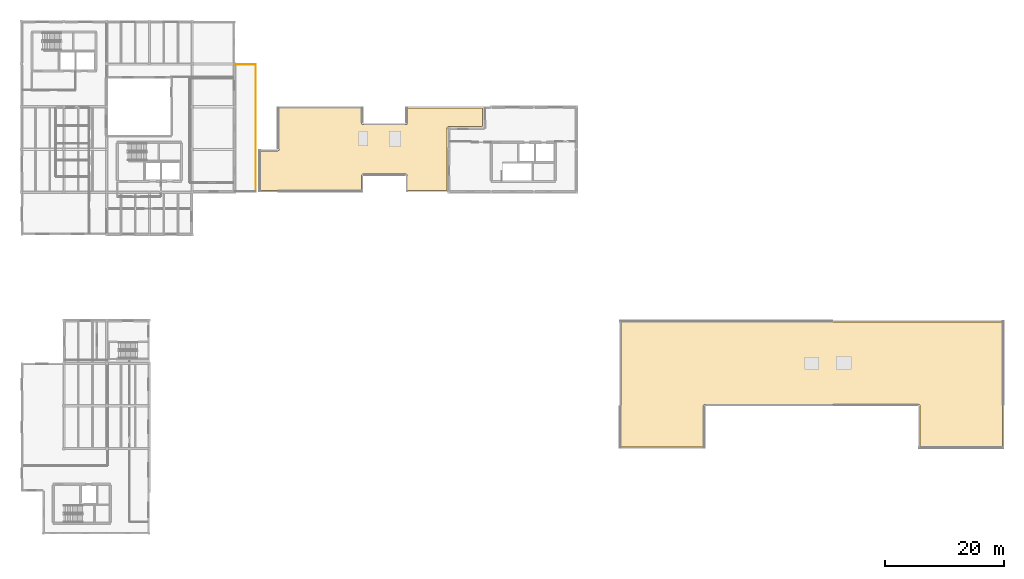
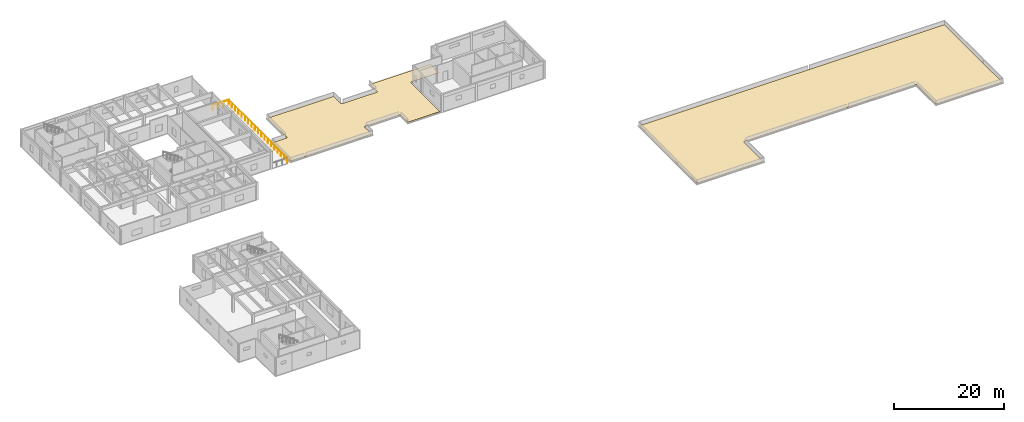
# One storey, part 15 of 15: 2 coverings, 2 railings.
"""IFC4 building model written with IfcOpenShell, lengths in metres."""

import ifcopenshell
import ifcopenshell.guid

model = None  # the IFC model being written
_history = None  # IfcOwnerHistory: only IFC2X3 demands one
_inside = {}  # id of a spatial element -> (the spatial element, [elements in it])
_under = {}  # id of a project, library or spatial element -> (it, [spatial elements below it])
_declared = {}  # id of a project -> (the project, [libraries it declares])
_typed = {}  # id of a type object -> (the type object, [elements of that type])
_made_of = {}  # id of a material, layer set ... -> (it, [elements and type objects made of it])


def new_model(schema):
    """Start an empty IFC model of exactly this schema.

    Asked for "IFC4X3", IfcOpenShell would pick the latest addendum, in which some entities
    have other attributes; the version numbers below select the first issue.
    IFC2X3 requires an IfcOwnerHistory on every rooted entity: one is made here for all.
    """
    global model, _history
    if schema == "IFC4X3":
        model = ifcopenshell.file(schema_version=(4, 3, 0, 0))
    else:
        model = ifcopenshell.file(schema=schema)
    _inside.clear()
    _under.clear()
    _declared.clear()
    _typed.clear()
    _made_of.clear()
    _history = None
    if model.schema == "IFC2X3":
        org = make("IfcOrganization", Name="unknown")
        user = make(
            "IfcPersonAndOrganization",
            ThePerson=make("IfcPerson", FamilyName="unknown"),
            TheOrganization=org,
        )
        app = make(
            "IfcApplication",
            ApplicationDeveloper=org,
            Version="unknown",
            ApplicationFullName="unknown",
            ApplicationIdentifier="unknown",
        )
        _history = make(
            "IfcOwnerHistory",
            OwningUser=user,
            OwningApplication=app,
            ChangeAction="ADDED",
            CreationDate=0,
        )
    return model


def make(cls, **values):
    """One entity of the class cls with the attributes given. An attribute that is None is left unset."""
    return model.create_entity(
        cls, **{name: value for name, value in values.items() if value is not None}
    )


def rooted(cls, **values):
    """An entity with a GlobalId (a new one), such as an element, a storey or a relation."""
    return make(cls, GlobalId=ifcopenshell.guid.new(), OwnerHistory=_history, **values)


def si_unit(unit_type, name, prefix=None):
    """IfcSIUnit, for example si_unit("LENGTHUNIT", "METRE", prefix="MILLI")."""
    return make("IfcSIUnit", UnitType=unit_type, Prefix=prefix, Name=name)


def assignment(units):
    """IfcUnitAssignment: the units of a project."""
    return None if units is None else make("IfcUnitAssignment", Units=units)


def point(xyz):
    """IfcCartesianPoint."""
    return None if xyz is None else make("IfcCartesianPoint", Coordinates=xyz)


def direction(xyz):
    """IfcDirection."""
    return None if xyz is None else make("IfcDirection", DirectionRatios=xyz)


def frame(location, z_axis=None, x_axis=None):
    """IfcAxis2Placement3D, a coordinate frame: its origin and axes. An axis left out is left unset."""
    return make(
        "IfcAxis2Placement3D",
        Location=point(location),
        Axis=direction(z_axis),
        RefDirection=direction(x_axis),
    )


def frame_2d(location, x_axis=None):
    """IfcAxis2Placement2D, a coordinate frame in the plane: its origin and x axis."""
    return make(
        "IfcAxis2Placement2D", Location=point(location), RefDirection=direction(x_axis)
    )


def origin():
    """The frame at (0, 0, 0) with its axes left unset."""
    return frame((0.0, 0.0, 0.0))


def origin_2d():
    """The frame at (0, 0) in the plane with its x axis left unset."""
    return frame_2d((0.0, 0.0))


def place(relative_to, where):
    """IfcLocalPlacement: puts the frame where relative to a parent placement (None: the world)."""
    return make(
        "IfcLocalPlacement", PlacementRelTo=relative_to, RelativePlacement=where
    )


def context(
    kind, dimensions, precision=None, world=None, true_north=None, identifier=None
):
    """IfcGeometricRepresentationContext, for example the 3D "Model" context."""
    return make(
        "IfcGeometricRepresentationContext",
        ContextIdentifier=identifier,
        ContextType=kind,
        CoordinateSpaceDimension=dimensions,
        Precision=precision,
        WorldCoordinateSystem=world,
        TrueNorth=true_north,
    )


def subcontext(parent, identifier, kind, view, scale=None):
    """IfcGeometricRepresentationSubContext, for example "Body" below "Model"."""
    return make(
        "IfcGeometricRepresentationSubContext",
        ContextIdentifier=identifier,
        ContextType=kind,
        ParentContext=parent,
        TargetScale=scale,
        TargetView=view,
    )


def project(units=None, contexts=None):
    """IfcProject with its units and contexts."""
    return rooted(
        "IfcProject",
        Name="project",
        RepresentationContexts=contexts,
        UnitsInContext=assignment(units),
    )


def spatial(cls, under=None, at=None, **own):
    """A site, building, storey or space (cls), placed at a placement, below another one or the project."""
    s = rooted(cls, ObjectPlacement=at, **own)
    if under is not None:
        _under.setdefault(under.id(), (under, []))[1].append(s)
    return s


def polyline(points):
    """IfcPolyline through the points."""
    return make("IfcPolyline", Points=[point(p) for p in points])


def profile(cls, at=None, kind="AREA", **sizes):
    """A parametric profile (cls). Its sizes go by their IFC names, for example OverallWidth=200.0."""
    return make(cls, ProfileType=kind, Position=at, **sizes)


def circle(**sizes):
    """IfcCircleProfileDef."""
    return profile("IfcCircleProfileDef", **sizes)


def outline(outer, holes=None, kind="AREA"):
    """IfcArbitraryClosedProfileDef: a profile drawn as a closed curve; with holes, ...WithVoids."""
    if holes is None:
        return make("IfcArbitraryClosedProfileDef", ProfileType=kind, OuterCurve=outer)
    return make(
        "IfcArbitraryProfileDefWithVoids",
        ProfileType=kind,
        OuterCurve=outer,
        InnerCurves=holes,
    )


def extrude(swept, where, along, depth):
    """IfcExtrudedAreaSolid: the profile swept, set in the frame where, extruded along a direction by depth."""
    return make(
        "IfcExtrudedAreaSolid",
        SweptArea=swept,
        Position=where,
        ExtrudedDirection=direction(along),
        Depth=depth,
    )


def shape(context_of_items, identifier, shape_type, items):
    """IfcShapeRepresentation: the items that make up one representation, for example the "Body"."""
    return make(
        "IfcShapeRepresentation",
        ContextOfItems=context_of_items,
        RepresentationIdentifier=identifier,
        RepresentationType=shape_type,
        Items=items,
    )


def material(Name=None, Category=None):
    """IfcMaterial."""
    return make("IfcMaterial", Name=Name, Category=Category)


def layer(
    of_material, thickness, ventilated=None, Name=None, Category=None, Priority=None
):
    """IfcMaterialLayer: one layer of a wall or slab, of a material (None: an air gap)."""
    return make(
        "IfcMaterialLayer",
        Material=of_material,
        LayerThickness=thickness,
        IsVentilated=ventilated,
        Name=Name,
        Category=Category,
        Priority=Priority,
    )


def layer_set(layers, Name=None):
    """IfcMaterialLayerSet."""
    return make("IfcMaterialLayerSet", MaterialLayers=layers, LayerSetName=Name)


def made_of(thing, what):
    """Note that an element or type object is made of a material, layer set ...; save() writes the relation."""
    if what is not None:
        _made_of.setdefault(what.id(), (what, []))[1].append(thing)
    return thing


def type_object(cls, material=None, **own):
    """A type object (cls), such as IfcWallType, which elements share."""
    return made_of(rooted(cls, **own), material)


def element(
    cls,
    number,
    at=None,
    inside=None,
    cuts=None,
    type_object=None,
    material=None,
    context=None,
    identifier="Body",
    shape_type=None,
    held_by="IfcProductDefinitionShape",
    body=None,
    shapes=None,
    **own,
):
    """One element of the class cls, such as IfcWall. Its Tag is "e" and its number.

    at: its placement. inside: the storey or other place that contains it. cuts: it is an
    opening in that element (IfcRelVoidsElement). A single representation is given by context,
    identifier, shape_type and body (its items); several are given by shapes. held_by: the class
    of the entity that holds the representations. save() writes the other relations.
    """
    e = rooted(cls, Tag="e%d" % number, ObjectPlacement=at, **own)
    if body is not None:
        shapes = [shape(context, identifier, shape_type, body)]
    if shapes is not None:
        e.Representation = make(held_by, Representations=shapes)
    if inside is not None:
        _inside.setdefault(inside.id(), (inside, []))[1].append(e)
    if cuts is not None:
        rooted(
            "IfcRelVoidsElement", RelatingBuildingElement=cuts, RelatedOpeningElement=e
        )
    if type_object is not None:
        _typed.setdefault(type_object.id(), (type_object, []))[1].append(e)
    return made_of(e, material)


def aggregate(whole, parts):
    """IfcRelAggregates: a whole, such as a stair, and the parts it consists of."""
    return rooted("IfcRelAggregates", RelatingObject=whole, RelatedObjects=parts)


def save(model, path):
    """Write the relations noted so far, then the file.

    IfcRelAggregates (storeys below a building ...), IfcRelContainedInSpatialStructure (elements
    in a storey), IfcRelDefinesByType, IfcRelAssociatesMaterial and IfcRelDeclares: one each for
    every whole, place, type object, material and project.
    """
    for whole, parts in _under.values():
        aggregate(whole, parts)
    for where, things in _inside.values():
        rooted(
            "IfcRelContainedInSpatialStructure",
            RelatedElements=things,
            RelatingStructure=where,
        )
    for kind, things in _typed.values():
        rooted("IfcRelDefinesByType", RelatedObjects=things, RelatingType=kind)
    for what, things in _made_of.values():
        rooted("IfcRelAssociatesMaterial", RelatedObjects=things, RelatingMaterial=what)
    for by, libraries in _declared.values():
        rooted("IfcRelDeclares", RelatingContext=by, RelatedDefinitions=libraries)
    model.write(path)


model = new_model("IFC4")

# Units and contexts
model_context = context("Model", 3, precision=1e-05, world=origin(), true_north=direction((0.0, 1.0)))
body_context = subcontext(model_context, "Body", "Model", "MODEL_VIEW")
ifc_project = project(units=[si_unit("LENGTHUNIT", "METRE"), si_unit("AREAUNIT", "SQUARE_METRE"), si_unit("VOLUMEUNIT", "CUBIC_METRE"), si_unit("PLANEANGLEUNIT", "RADIAN"), si_unit("MASSUNIT", "GRAM", prefix="KILO")], contexts=[model_context])

# Site, building, storey
site_placement = place(None, origin())
site = spatial("IfcSite", under=ifc_project, at=site_placement, CompositionType="ELEMENT")
building_placement = place(site_placement, origin())
building = spatial("IfcBuilding", under=site, at=building_placement, Name="Bramvelor Terrace Health Centre", CompositionType="ELEMENT")
storey_placement = place(building_placement, frame((0.0, 0.0, 13.5)))
storey = spatial("IfcBuildingStorey", under=building, at=storey_placement, Name="L04", CompositionType="ELEMENT", Elevation=13.5)

# Coverings
ifc_material_1 = material(Name="TPO standing-seam insulated roofing", Category="membrane")
ifc_layer = layer(ifc_material_1, 0.044921875)
ifc_layer_set = layer_set([ifc_layer], Name="TPO standing-seam insulated roofing")
covering_type = type_object("IfcCoveringType", Name="COV-ROOF-MEM", PredefinedType="ROOFING", material=ifc_layer_set)
covering_1_placement = place(storey_placement, origin())
element("IfcCovering", 1, at=covering_1_placement, inside=storey, type_object=covering_type, Name="L04 Insulated Roof Membrane 7", PredefinedType="ROOFING", context=body_context, shape_type="SweptSolid", body=[
    extrude(outline(polyline([(151.43994140625, 50.39990234375), (151.438720703125, 50.423583984375), (151.435302734375, 50.44677734375), (151.4296875, 50.4697265625), (151.421630859375, 50.49169921875), (151.41162109375, 50.51318359375), (151.399658203125, 50.533203125), (151.385498046875, 50.55224609375), (151.36962890625, 50.569580078125), (151.352294921875, 50.58544921875), (151.333251953125, 50.599609375), (151.31298828125, 50.61181640625), (151.291748046875, 50.62158203125), (151.269775390625, 50.629638671875), (151.246826171875, 50.635498046875), (151.223388671875, 50.638916015625), (151.199951171875, 50.639892578125), (115.199951171875, 50.639892578125), (115.176513671875, 50.638916015625), (115.1533203125, 50.635498046875), (115.13037109375, 50.629638671875), (115.108154296875, 50.62158203125), (115.0869140625, 50.61181640625), (115.066650390625, 50.599609375), (115.047607421875, 50.58544921875), (115.0302734375, 50.569580078125), (115.014404296875, 50.55224609375), (115.00048828125, 50.533203125), (114.98828125, 50.51318359375), (114.978271484375, 50.49169921875), (114.97021484375, 50.4697265625), (114.964599609375, 50.44677734375), (114.961181640625, 50.423583984375), (114.9599609375, 50.39990234375), (114.9599609375, 43.43994140625), (101.0400390625, 43.43994140625), (101.0400390625, 64.56005859375), (165.360107421875, 64.56005859375), (165.360107421875, 43.43994140625), (151.43994140625, 43.43994140625), (151.43994140625, 50.39990234375)])), origin(), (0.0, 0.0, 1.0), 0.044921875),
])
covering_2_placement = place(storey_placement, origin())
element("IfcCovering", 2, at=covering_2_placement, inside=storey, type_object=covering_type, Name="L04 Insulated Roof Membrane 8", PredefinedType="ROOFING", context=body_context, shape_type="SweptSolid", body=[
    extrude(outline(polyline([(64.800048828125, 97.760009765625), (64.823486328125, 97.76123046875), (64.8466796875, 97.7646484375), (64.86962890625, 97.770263671875), (64.891845703125, 97.7783203125), (64.9130859375, 97.788330078125), (64.933349609375, 97.80029296875), (64.952392578125, 97.814453125), (64.9697265625, 97.830322265625), (64.985595703125, 97.84765625), (64.99951171875, 97.86669921875), (65.01171875, 97.886962890625), (65.021728515625, 97.908203125), (65.02978515625, 97.930419921875), (65.035400390625, 97.953125), (65.038818359375, 97.9765625), (65.0400390625, 98.0), (65.0400390625, 100.56005859375), (77.75, 100.56005859375), (77.75, 97.449951171875), (72.0, 97.449951171875), (71.98828125, 97.44970703125), (71.9873046875, 97.44970703125), (71.9638671875, 97.447509765625), (71.962890625, 97.447265625), (71.939697265625, 97.442626953125), (71.938720703125, 97.4423828125), (71.916259765625, 97.435546875), (71.915283203125, 97.435302734375), (71.8935546875, 97.42626953125), (71.892578125, 97.42578125), (71.871826171875, 97.414794921875), (71.87109375, 97.414306640625), (71.8515625, 97.401123046875), (71.8505859375, 97.400390625), (71.83251953125, 97.385498046875), (71.831787109375, 97.385009765625), (71.815185546875, 97.3681640625), (71.814453125, 97.367431640625), (71.799560546875, 97.349365234375), (71.798828125, 97.348388671875), (71.785888671875, 97.328857421875), (71.785400390625, 97.328125), (71.774169921875, 97.307373046875), (71.773681640625, 97.306396484375), (71.764892578125, 97.28466796875), (71.764404296875, 97.28369140625), (71.757568359375, 97.26123046875), (71.75732421875, 97.26025390625), (71.752685546875, 97.2373046875), (71.752685546875, 97.236083984375), (71.750244140625, 97.212890625), (71.750244140625, 97.2119140625), (71.75, 97.199951171875), (71.75, 86.639892578125), (65.0400390625, 86.639892578125), (65.0400390625, 89.199951171875), (65.038818359375, 89.223388671875), (65.035400390625, 89.246826171875), (65.02978515625, 89.269775390625), (65.021728515625, 89.291748046875), (65.01171875, 89.31298828125), (64.99951171875, 89.333251953125), (64.985595703125, 89.352294921875), (64.9697265625, 89.36962890625), (64.952392578125, 89.385498046875), (64.933349609375, 89.399658203125), (64.9130859375, 89.41162109375), (64.891845703125, 89.421630859375), (64.86962890625, 89.4296875), (64.8466796875, 89.435302734375), (64.823486328125, 89.438720703125), (64.800048828125, 89.43994140625), (57.60009765625, 89.43994140625), (57.576416015625, 89.438720703125), (57.55322265625, 89.435302734375), (57.5302734375, 89.4296875), (57.50830078125, 89.421630859375), (57.48681640625, 89.41162109375), (57.466796875, 89.399658203125), (57.44775390625, 89.385498046875), (57.430419921875, 89.36962890625), (57.41455078125, 89.352294921875), (57.400390625, 89.333251953125), (57.38818359375, 89.31298828125), (57.37841796875, 89.291748046875), (57.370361328125, 89.269775390625), (57.364501953125, 89.246826171875), (57.361083984375, 89.223388671875), (57.360107421875, 89.199951171875), (57.360107421875, 86.639892578125), (40.2900390625, 86.639892578125), (40.2900390625, 93.360107421875), (43.199951171875, 93.360107421875), (43.223388671875, 93.361083984375), (43.246826171875, 93.364501953125), (43.269775390625, 93.370361328125), (43.291748046875, 93.37841796875), (43.31298828125, 93.38818359375), (43.333251953125, 93.400390625), (43.352294921875, 93.41455078125), (43.36962890625, 93.430419921875), (43.385498046875, 93.44775390625), (43.399658203125, 93.466796875), (43.41162109375, 93.48681640625), (43.421630859375, 93.50830078125), (43.4296875, 93.5302734375), (43.435302734375, 93.55322265625), (43.438720703125, 93.576416015625), (43.43994140625, 93.60009765625), (43.43994140625, 100.56005859375), (57.360107421875, 100.56005859375), (57.360107421875, 98.0), (57.361083984375, 97.9765625), (57.364501953125, 97.953125), (57.370361328125, 97.930419921875), (57.37841796875, 97.908203125), (57.38818359375, 97.886962890625), (57.400390625, 97.86669921875), (57.41455078125, 97.84765625), (57.430419921875, 97.830322265625), (57.44775390625, 97.814453125), (57.466796875, 97.80029296875), (57.48681640625, 97.788330078125), (57.50830078125, 97.7783203125), (57.5302734375, 97.770263671875), (57.55322265625, 97.7646484375), (57.576416015625, 97.76123046875), (57.60009765625, 97.760009765625), (64.800048828125, 97.760009765625)])), origin(), (0.0, 0.0, 1.0), 0.044921875),
])

# Railings
ifc_material_2 = material(Name="Laminated safety glass and stainless steel", Category="steel")
railing_type = type_object("IfcRailingType", Name="RLG-TER-1100", PredefinedType="BALUSTRADE", material=ifc_material_2)
railing_1_placement = place(storey_placement, frame((39.5, 107.919921875, 0.0)))
element("IfcRailing", 3, at=railing_1_placement, inside=storey, type_object=railing_type, Name="L04 Planted Terrace Safety Balustrade 4", PredefinedType="BALUSTRADE", context=body_context, shape_type="SweptSolid", body=[
    extrude(circle(Radius=0.02392578125, at=origin_2d()), frame((0.0, 0.0, 1.076171875), z_axis=(0.0, -1.0, 0.0), x_axis=(1.0, 0.0, 0.0)), (0.0, 0.0, 1.0), 21.43994140625),
    extrude(circle(Radius=0.02099609375, at=origin_2d()), origin(), (0.0, 0.0, 1.0), 1.052001953125),
    extrude(circle(Radius=0.02099609375, at=origin_2d()), frame((0.0, -1.191162109375, 0.0)), (0.0, 0.0, 1.0), 1.052001953125),
    extrude(circle(Radius=0.02099609375, at=origin_2d()), frame((0.0, -2.38232421875, 0.0)), (0.0, 0.0, 1.0), 1.052001953125),
    extrude(circle(Radius=0.02099609375, at=origin_2d()), frame((0.0, -3.5732421875, 0.0)), (0.0, 0.0, 1.0), 1.052001953125),
    extrude(circle(Radius=0.02099609375, at=origin_2d()), frame((0.0, -4.764404296875, 0.0)), (0.0, 0.0, 1.0), 1.052001953125),
    extrude(circle(Radius=0.02099609375, at=origin_2d()), frame((0.0, -5.95556640625, 0.0)), (0.0, 0.0, 1.0), 1.052001953125),
    extrude(circle(Radius=0.02099609375, at=origin_2d()), frame((0.0, -7.146728515625, 0.0)), (0.0, 0.0, 1.0), 1.052001953125),
    extrude(circle(Radius=0.02099609375, at=origin_2d()), frame((0.0, -8.337646484375, 0.0)), (0.0, 0.0, 1.0), 1.052001953125),
    extrude(circle(Radius=0.02099609375, at=origin_2d()), frame((0.0, -9.52880859375, 0.0)), (0.0, 0.0, 1.0), 1.052001953125),
    extrude(circle(Radius=0.02099609375, at=origin_2d()), frame((0.0, -10.719970703125, 0.0)), (0.0, 0.0, 1.0), 1.052001953125),
    extrude(circle(Radius=0.02099609375, at=origin_2d()), frame((0.0, -11.9111328125, 0.0)), (0.0, 0.0, 1.0), 1.052001953125),
    extrude(circle(Radius=0.02099609375, at=origin_2d()), frame((0.0, -13.102294921875, 0.0)), (0.0, 0.0, 1.0), 1.052001953125),
    extrude(circle(Radius=0.02099609375, at=origin_2d()), frame((0.0, -14.293212890625, 0.0)), (0.0, 0.0, 1.0), 1.052001953125),
    extrude(circle(Radius=0.02099609375, at=origin_2d()), frame((0.0, -15.484375, 0.0)), (0.0, 0.0, 1.0), 1.052001953125),
    extrude(circle(Radius=0.02099609375, at=origin_2d()), frame((0.0, -16.675537109375, 0.0)), (0.0, 0.0, 1.0), 1.052001953125),
    extrude(circle(Radius=0.02099609375, at=origin_2d()), frame((0.0, -17.86669921875, 0.0)), (0.0, 0.0, 1.0), 1.052001953125),
    extrude(circle(Radius=0.02099609375, at=origin_2d()), frame((0.0, -19.0576171875, 0.0)), (0.0, 0.0, 1.0), 1.052001953125),
    extrude(circle(Radius=0.02099609375, at=origin_2d()), frame((0.0, -20.248779296875, 0.0)), (0.0, 0.0, 1.0), 1.052001953125),
    extrude(circle(Radius=0.02099609375, at=origin_2d()), frame((0.0, -21.43994140625, 0.0)), (0.0, 0.0, 1.0), 1.052001953125),
])
railing_2_placement = place(storey_placement, frame((36.0849609375, 107.89990234375, 0.0)))
element("IfcRailing", 4, at=railing_2_placement, inside=storey, type_object=railing_type, Name="L04 Planted Terrace Safety Balustrade 6", PredefinedType="BALUSTRADE", context=body_context, shape_type="SweptSolid", body=[
    extrude(circle(Radius=0.02392578125, at=origin_2d()), frame((0.0, 0.0, 1.076171875), z_axis=(1.0, 0.0, 0.0), x_axis=(0.0, 1.0, 0.0)), (0.0, 0.0, 1.0), 3.43505859375),
    extrude(circle(Radius=0.02099609375, at=origin_2d()), origin(), (0.0, 0.0, 1.0), 1.052001953125),
    extrude(circle(Radius=0.02099609375, at=origin_2d()), frame((1.14501953125, 0.0, 0.0)), (0.0, 0.0, 1.0), 1.052001953125),
    extrude(circle(Radius=0.02099609375, at=origin_2d()), frame((2.2900390625, 0.0, 0.0)), (0.0, 0.0, 1.0), 1.052001953125),
    extrude(circle(Radius=0.02099609375, at=origin_2d()), frame((3.43505859375, 0.0, 0.0)), (0.0, 0.0, 1.0), 1.052001953125),
])

save(model, "model.ifc")
